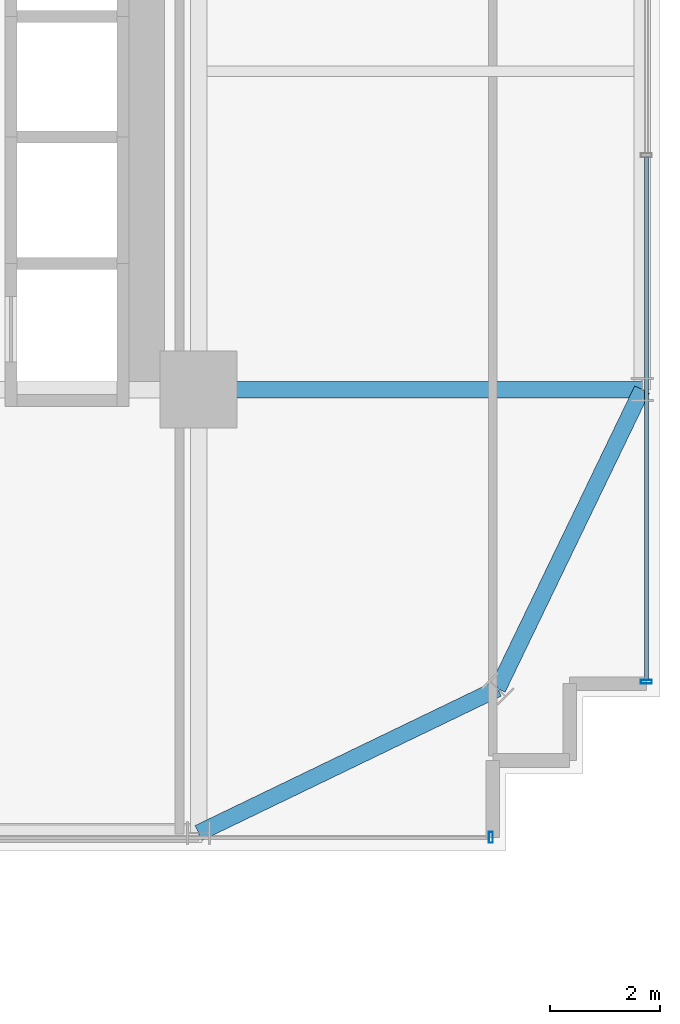
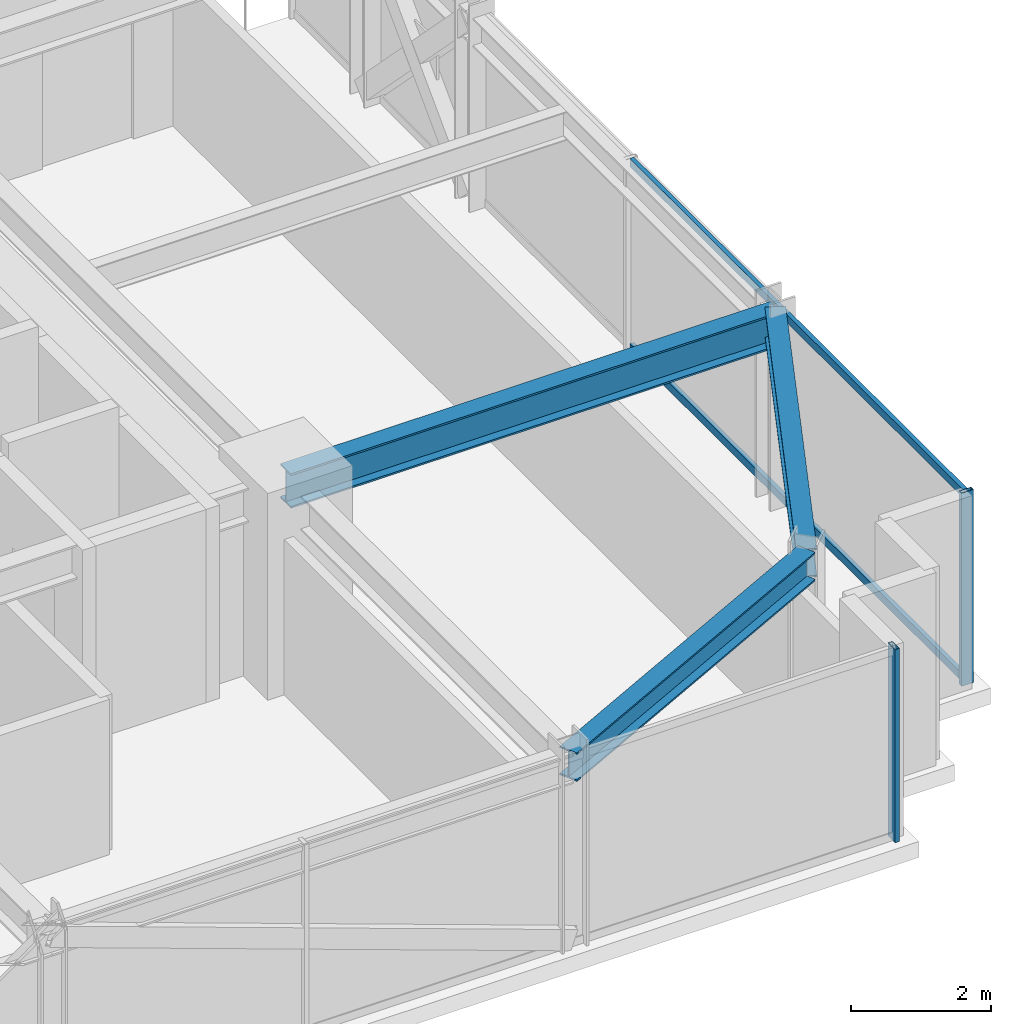
# One storey, part 15 of 38: 4 members, 3 beams, 2 elements without a shape of their own.
"""IFC4 building model written with IfcOpenShell, lengths in metres."""

from ifc_helpers import new_model, si_unit, direction, frame, origin, origin_2d, place, context, subcontext, project, spatial, hollow_rectangle, i_section, extrude, source, transform, mapped, material, material_profile, profile_set, type_object, element, aggregate, save


model = new_model("IFC4")

# Units and contexts
model_context = context("Model", 3, precision=1e-05, world=origin(), true_north=direction((0.0, 1.0)))
body_context = subcontext(model_context, "Body", "Model", "MODEL_VIEW")
ifc_project = project(units=[si_unit("LENGTHUNIT", "METRE"), si_unit("AREAUNIT", "SQUARE_METRE"), si_unit("VOLUMEUNIT", "CUBIC_METRE"), si_unit("PLANEANGLEUNIT", "RADIAN"), si_unit("MASSUNIT", "GRAM", prefix="KILO")], contexts=[model_context])

# Site, building, storey
site_placement = place(None, origin())
site = spatial("IfcSite", under=ifc_project, at=site_placement, CompositionType="ELEMENT")
building_placement = place(site_placement, origin())
building = spatial("IfcBuilding", under=site, at=building_placement, Name="Nahalor Promenade Grand Hotel", CompositionType="ELEMENT")
storey_placement = place(building_placement, frame((0.0, 0.0, 50.64990234375)))
storey = spatial("IfcBuildingStorey", under=building, at=storey_placement, Name="L11", CompositionType="ELEMENT", Elevation=50.64990234375)

# Beams
ifc_material_1 = material(Name="Steel S355JR", Category="steel")
ifc_material_profile_1 = material_profile(ifc_material_1, i_section(OverallWidth=0.3, OverallDepth=0.6, WebThickness=0.0155, FlangeThickness=0.03, at=origin_2d()), Name="HEB 600")
ifc_profile_set_1 = profile_set([ifc_material_profile_1], Name="Steel S355JR")
beam_type_1 = type_object("IfcBeamType", Name="Beam-Girder-HEB600", PredefinedType="BEAM", material=ifc_profile_set_1)
shared_shape_1 = source(origin(), body_context, "Body", "SweptSolid", [
    extrude(i_section(OverallWidth=0.3, OverallDepth=0.6, WebThickness=0.0155, FlangeThickness=0.03, at=origin_2d()), origin(), (0.0, 0.0, 1.0), 8.080078125),
])
beam_placement = place(storey_placement, frame((17.0, -17.0, 3.070068359375), z_axis=(1.0, 0.0, 0.0), x_axis=(0.0, 1.0, 0.0)))
element("IfcBeam", 1, at=beam_placement, inside=storey, type_object=beam_type_1, Name="BM-L11-GX-0-6", PredefinedType="BEAM", context=body_context, shape_type="MappedRepresentation", body=[
    mapped(shared_shape_1, transform((0.0, 0.0, 0.0), scale=1.0)),
])
ifc_material_profile_2 = material_profile(ifc_material_1, i_section(OverallWidth=0.3, OverallDepth=0.5, WebThickness=0.0145, FlangeThickness=0.028, at=origin_2d()), Name="HEB 500")
ifc_profile_set_2 = profile_set([ifc_material_profile_2], Name="Steel S355JR")
beam_type_2 = type_object("IfcBeamType", Name="Beam-Spandrel-HEB500", PredefinedType="SPANDREL", material=ifc_profile_set_2)
shared_shape_2 = source(origin(), body_context, "Body", "SweptSolid", [
    extrude(i_section(OverallWidth=0.3, OverallDepth=0.5, WebThickness=0.0145, FlangeThickness=0.028, at=origin_2d()), origin(), (0.0, 0.0, 1.0), 6.051513671875),
])
for number, where, z_axis, x_axis, name in (
    (2, (17.0, -25.080078125, 3.1201171875), (0.900608818852, 0.434630596492, 0.0), (-0.434630596492, 0.900608818852, 0.0), "BM-L11-SPC-SE-1"),
    (3, (22.449951171875, -22.449951171875, 3.1201171875), (0.434630596492, 0.900608818852, 0.0), (-0.900608818852, 0.434630596492, 0.0), "BM-L11-SPC-SE-2"),
):
    element("IfcBeam", number, at=place(storey_placement, frame(where, z_axis=z_axis, x_axis=x_axis)), inside=storey, type_object=beam_type_2, Name=name, PredefinedType="SPANDREL", context=body_context, shape_type="MappedRepresentation", body=[
        mapped(shared_shape_2, transform((0.0, 0.0, 0.0), scale=1.0)),
    ])

# Curtain wall, member
ifc_material_2 = material(Name="Anodised Bronze Aluminium EN AW-6063 T6", Category="aluminium")
curtain_wall_type = type_object("IfcCurtainWallType", Name="CW3 Elliptical-Void Collar Unitised Curtain Wall", PredefinedType="USERDEFINED", material=ifc_material_2)
curtain_wall_1_placement = place(storey_placement, origin())
curtain_wall_1 = element("IfcCurtainWall", 4, at=curtain_wall_1_placement, inside=storey, type_object=curtain_wall_type, Name="L11 Curtain Wall CW-L11-S-3", ObjectType="UNITISED_CURTAIN_WALL", PredefinedType="USERDEFINED")
ifc_material_profile_3 = material_profile(ifc_material_2, hollow_rectangle(XDim=0.07, YDim=0.2, WallThickness=0.005, at=origin_2d()), Name="CWM 70x200x5")
ifc_profile_set_3 = profile_set([ifc_material_profile_3], Name="Anodised Bronze Aluminium EN AW-6063 T6")
member_type_1 = type_object("IfcMemberType", Name="CWM3 Void Collar Mullion 70x200", PredefinedType="MULLION", material=ifc_profile_set_3)
shared_shape_3 = source(origin(), body_context, "Body", "SweptSolid", [
    extrude(hollow_rectangle(XDim=0.07, YDim=0.2, WallThickness=0.005, at=origin_2d()), origin(), (0.0, 0.0, 1.0), 3.3701171875),
])
member_1_placement = place(storey_placement, frame((22.324951171875, -25.159912109375, 0.0), z_axis=(0.0, 0.0, 1.0), x_axis=(1.0, 0.0, 0.0)))
member_1 = element("IfcMember", 5, at=member_1_placement, type_object=member_type_1, Name="CW-L11-S-3 Mullion 2", PredefinedType="MULLION", context=body_context, shape_type="MappedRepresentation", body=[
    mapped(shared_shape_3, transform((0.0, 0.0, 0.0), scale=1.0)),
])
aggregate(curtain_wall_1, [member_1])

# Curtain wall, members
curtain_wall_2_placement = place(storey_placement, origin())
curtain_wall_2 = element("IfcCurtainWall", 6, at=curtain_wall_2_placement, inside=storey, type_object=curtain_wall_type, Name="L11 Curtain Wall CW-L11-E-1", ObjectType="UNITISED_CURTAIN_WALL", PredefinedType="USERDEFINED")
member_2_placement = place(storey_placement, frame((25.159912109375, -22.324951171875, 0.0), z_axis=(0.0, 0.0, 1.0), x_axis=(0.0, 1.0, 0.0)))
member_2 = element("IfcMember", 7, at=member_2_placement, type_object=member_type_1, Name="CW-L11-E-1 Mullion 0", PredefinedType="MULLION", context=body_context, shape_type="MappedRepresentation", body=[
    mapped(shared_shape_3, transform((0.0, 0.0, 0.0), scale=1.0)),
])
ifc_material_profile_4 = material_profile(ifc_material_2, hollow_rectangle(XDim=0.07, YDim=0.14, WallThickness=0.004, at=origin_2d()), Name="CWT 70x140x4")
ifc_profile_set_4 = profile_set([ifc_material_profile_4], Name="Anodised Bronze Aluminium EN AW-6063 T6")
member_type_2 = type_object("IfcMemberType", Name="CWT3 Void Collar Transom 70x140", PredefinedType="USERDEFINED", material=ifc_profile_set_4)
shared_shape_4 = source(origin(), body_context, "Body", "SweptSolid", [
    extrude(hollow_rectangle(XDim=0.07, YDim=0.14, WallThickness=0.004, at=origin_2d()), origin(), (0.0, 0.0, 1.0), 9.525146484375),
])
member_3_placement = place(storey_placement, frame((25.159912109375, -22.2900390625, 0.070068359375), z_axis=(0.0, 1.0, 0.0), x_axis=(-1.0, 0.0, 0.0)))
member_3 = element("IfcMember", 8, at=member_3_placement, type_object=member_type_2, Name="CW-L11-E-1 Transom 0-0", ObjectType="TRANSOM", PredefinedType="USERDEFINED", context=body_context, shape_type="MappedRepresentation", body=[
    mapped(shared_shape_4, transform((0.0, 0.0, 0.0), scale=1.0)),
])
member_4_placement = place(storey_placement, frame((25.159912109375, -22.2900390625, 3.300048828125), z_axis=(0.0, 1.0, 0.0), x_axis=(-1.0, 0.0, 0.0)))
member_4 = element("IfcMember", 9, at=member_4_placement, type_object=member_type_2, Name="CW-L11-E-1 Transom 0-1", ObjectType="TRANSOM", PredefinedType="USERDEFINED", context=body_context, shape_type="MappedRepresentation", body=[
    mapped(shared_shape_4, transform((0.0, 0.0, 0.0), scale=1.0)),
])
aggregate(curtain_wall_2, [member_2, member_3, member_4])

save(model, "model.ifc")
